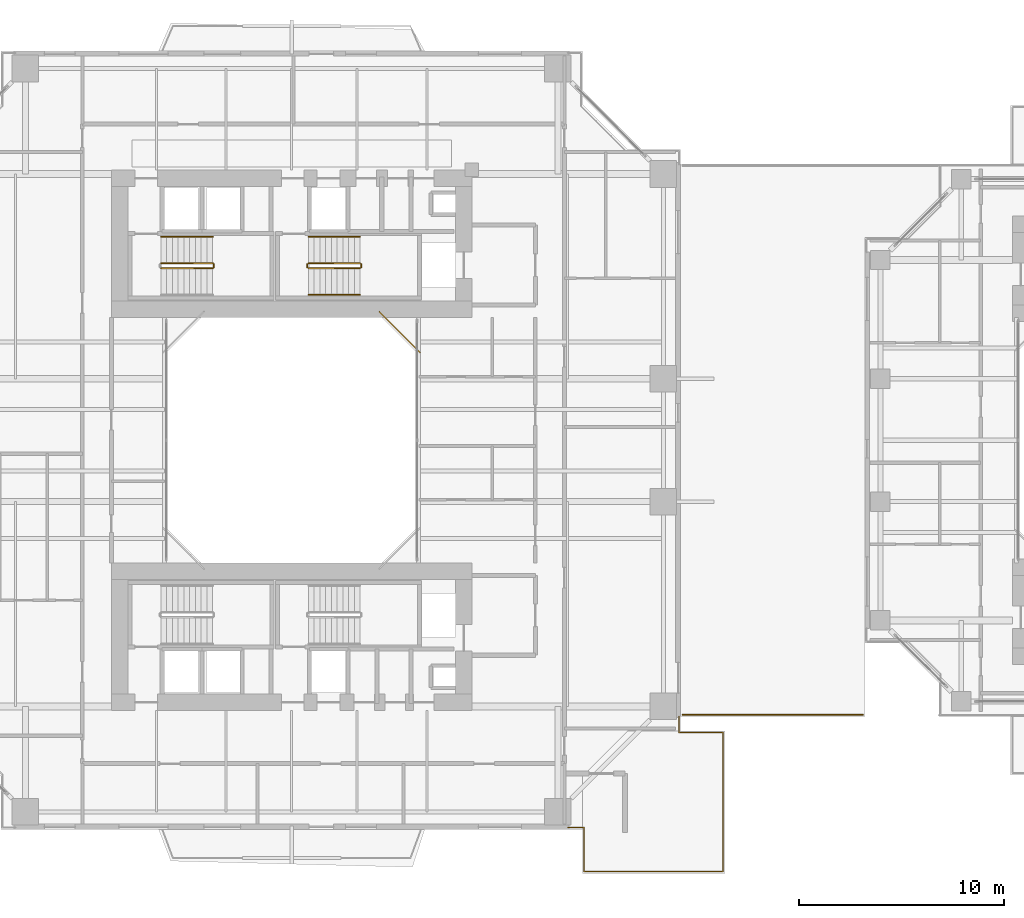
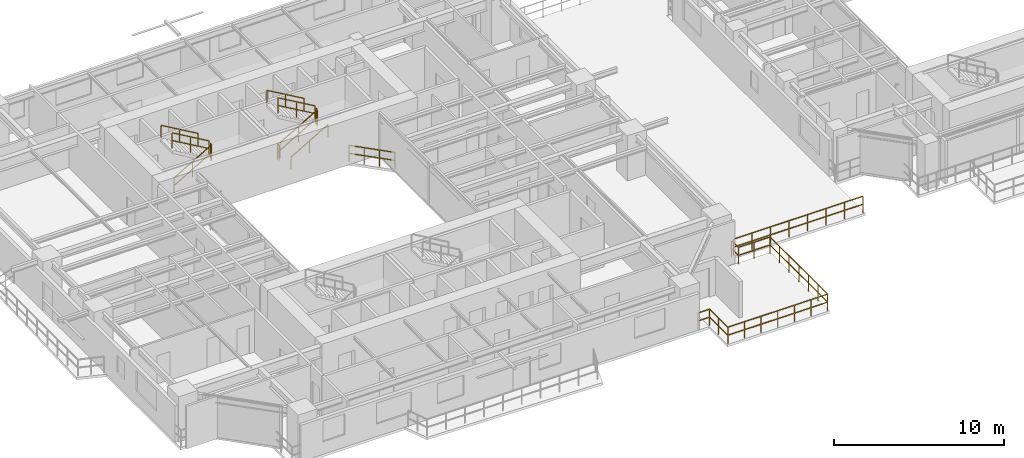
# One storey, part 19 of 22: 13 railings.
"""IFC4 building model written with IfcOpenShell, lengths in metres."""

from ifc_helpers import new_model, si_unit, direction, frame, origin, origin_2d, place, context, subcontext, project, spatial, rectangle, extrude, material, type_object, element, save


model = new_model("IFC4")

# Units and contexts
model_context = context("Model", 3, precision=1e-05, world=origin(), true_north=direction((0.0, 1.0)))
body_context = subcontext(model_context, "Body", "Model", "MODEL_VIEW")
ifc_project = project(units=[si_unit("LENGTHUNIT", "METRE"), si_unit("AREAUNIT", "SQUARE_METRE"), si_unit("VOLUMEUNIT", "CUBIC_METRE"), si_unit("PLANEANGLEUNIT", "RADIAN"), si_unit("MASSUNIT", "GRAM", prefix="KILO"), si_unit("THERMODYNAMICTEMPERATUREUNIT", "KELVIN"), si_unit("POWERUNIT", "WATT")], contexts=[model_context])

# Site, building, storey
site_placement = place(None, origin())
site = spatial("IfcSite", under=ifc_project, at=site_placement, CompositionType="ELEMENT")
building_placement = place(site_placement, origin())
building = spatial("IfcBuilding", under=site, at=building_placement, Name="Qiaomeng Ring Towers", CompositionType="ELEMENT")
storey_placement = place(building_placement, frame((0.0, 0.0, 23.0)))
storey = spatial("IfcBuildingStorey", under=building, at=storey_placement, Name="L05", CompositionType="ELEMENT", Elevation=23.0)

# Railings
ifc_material_1 = material(Name="Low-E pale-green laminated safety glass", Category="glass")
railing_type_1 = type_object("IfcRailingType", Name="ARC-RL-BAL1", PredefinedType="BALUSTRADE", material=ifc_material_1)
railing_1_placement = place(storey_placement, frame((38.10009765625, 9.60009765625, 0.0)))
element("IfcRailing", 1, at=railing_1_placement, inside=storey, type_object=railing_type_1, Name="L05 Balustrade ARC-BAL-L05-POD-S", PredefinedType="BALUSTRADE", context=body_context, shape_type="SweptSolid", body=[
    extrude(rectangle(XDim=0.048095703125, YDim=0.048095703125, at=origin_2d()), frame((0.0, 0.0, 1.17578125), z_axis=(1.0, 0.0, 0.0), x_axis=(0.0, 1.0, 0.0)), (0.0, 0.0, 1.0), 8.7998046875),
    extrude(rectangle(XDim=0.048095703125, YDim=0.048095703125, at=origin_2d()), frame((0.0, 0.0, 0.60009765625), z_axis=(1.0, 0.0, 0.0), x_axis=(0.0, 1.0, 0.0)), (0.0, 0.0, 1.0), 8.7998046875),
    extrude(rectangle(XDim=0.0419921875, YDim=0.0419921875, at=origin_2d()), origin(), (0.0, 0.0, 1.0), 1.15185546875),
    extrude(rectangle(XDim=0.0419921875, YDim=0.0419921875, at=origin_2d()), frame((1.257080078125, 0.0, 0.0)), (0.0, 0.0, 1.0), 1.15185546875),
    extrude(rectangle(XDim=0.0419921875, YDim=0.0419921875, at=origin_2d()), frame((2.51416015625, 0.0, 0.0)), (0.0, 0.0, 1.0), 1.15185546875),
    extrude(rectangle(XDim=0.0419921875, YDim=0.0419921875, at=origin_2d()), frame((3.771240234375, 0.0, 0.0)), (0.0, 0.0, 1.0), 1.15185546875),
    extrude(rectangle(XDim=0.0419921875, YDim=0.0419921875, at=origin_2d()), frame((5.028564453125, 0.0, 0.0)), (0.0, 0.0, 1.0), 1.15185546875),
    extrude(rectangle(XDim=0.0419921875, YDim=0.0419921875, at=origin_2d()), frame((6.28564453125, 0.0, 0.0)), (0.0, 0.0, 1.0), 1.15185546875),
    extrude(rectangle(XDim=0.0419921875, YDim=0.0419921875, at=origin_2d()), frame((7.542724609375, 0.0, 0.0)), (0.0, 0.0, 1.0), 1.15185546875),
    extrude(rectangle(XDim=0.0419921875, YDim=0.0419921875, at=origin_2d()), frame((8.7998046875, 0.0, 0.0)), (0.0, 0.0, 1.0), 1.15185546875),
])
railing_2_placement = place(storey_placement, frame((25.280029296875, 27.280029296875, 0.0)))
element("IfcRailing", 2, at=railing_2_placement, inside=storey, type_object=railing_type_1, Name="L05 Balustrade ARC-BAL-WELL1-L05-2", PredefinedType="BALUSTRADE", context=body_context, shape_type="SweptSolid", body=[
    extrude(rectangle(XDim=0.048095703125, YDim=0.048095703125, at=origin_2d()), frame((0.0, 0.0, 1.17578125), z_axis=(-0.707106781187, 0.707106781187, 0.0), x_axis=(-0.707106781187, -0.707106781187, 0.0)), (0.0, 0.0, 1.0), 2.828369140625),
    extrude(rectangle(XDim=0.048095703125, YDim=0.048095703125, at=origin_2d()), frame((0.0, 0.0, 0.60009765625), z_axis=(-0.707106781187, 0.707106781187, 0.0), x_axis=(-0.707106781187, -0.707106781187, 0.0)), (0.0, 0.0, 1.0), 2.828369140625),
    extrude(rectangle(XDim=0.0419921875, YDim=0.0419921875, at=origin_2d()), origin(), (0.0, 0.0, 1.0), 1.15185546875),
    extrude(rectangle(XDim=0.0419921875, YDim=0.0419921875, at=origin_2d()), frame((-0.666748046875, 0.666748046875, 0.0)), (0.0, 0.0, 1.0), 1.15185546875),
    extrude(rectangle(XDim=0.0419921875, YDim=0.0419921875, at=origin_2d()), frame((-1.333251953125, 1.333251953125, 0.0)), (0.0, 0.0, 1.0), 1.15185546875),
    extrude(rectangle(XDim=0.0419921875, YDim=0.0419921875, at=origin_2d()), frame((-2.0, 2.0, 0.0)), (0.0, 0.0, 1.0), 1.15185546875),
])
railing_3_placement = place(storey_placement, frame((32.47998046875, 4.080078125, 0.0)))
element("IfcRailing", 3, at=railing_3_placement, inside=storey, type_object=railing_type_1, Name="L05 Balustrade ARC-BAL-L05-SPIRAL-SE", PredefinedType="BALUSTRADE", context=body_context, shape_type="SweptSolid", body=[
    extrude(rectangle(XDim=0.048095703125, YDim=0.048095703125, at=origin_2d()), frame((0.0, 0.0, 1.17578125), z_axis=(1.0, 0.0, 0.0), x_axis=(0.0, 1.0, 0.0)), (0.0, 0.0, 1.0), 0.800048828125),
    extrude(rectangle(XDim=0.048095703125, YDim=0.048095703125, at=origin_2d()), frame((0.0, 0.0, 0.60009765625), z_axis=(1.0, 0.0, 0.0), x_axis=(0.0, 1.0, 0.0)), (0.0, 0.0, 1.0), 0.800048828125),
    extrude(rectangle(XDim=0.048095703125, YDim=0.048095703125, at=origin_2d()), frame((0.800048828125, 0.0, 1.17578125), z_axis=(0.0, -1.0, 0.0), x_axis=(1.0, 0.0, 0.0)), (0.0, 0.0, 1.0), 2.150146484375),
    extrude(rectangle(XDim=0.048095703125, YDim=0.048095703125, at=origin_2d()), frame((0.800048828125, 0.0, 0.60009765625), z_axis=(0.0, -1.0, 0.0), x_axis=(1.0, 0.0, 0.0)), (0.0, 0.0, 1.0), 2.150146484375),
    extrude(rectangle(XDim=0.048095703125, YDim=0.048095703125, at=origin_2d()), frame((0.800048828125, -2.150146484375, 1.17578125), z_axis=(1.0, 0.0, 0.0), x_axis=(0.0, 1.0, 0.0)), (0.0, 0.0, 1.0), 6.7900390625),
    extrude(rectangle(XDim=0.048095703125, YDim=0.048095703125, at=origin_2d()), frame((0.800048828125, -2.150146484375, 0.60009765625), z_axis=(1.0, 0.0, 0.0), x_axis=(0.0, 1.0, 0.0)), (0.0, 0.0, 1.0), 6.7900390625),
    extrude(rectangle(XDim=0.048095703125, YDim=0.048095703125, at=origin_2d()), frame((7.590087890625, -2.150146484375, 1.17578125), z_axis=(0.0, 1.0, 0.0), x_axis=(-1.0, 0.0, 0.0)), (0.0, 0.0, 1.0), 6.7900390625),
    extrude(rectangle(XDim=0.048095703125, YDim=0.048095703125, at=origin_2d()), frame((7.590087890625, -2.150146484375, 0.60009765625), z_axis=(0.0, 1.0, 0.0), x_axis=(-1.0, 0.0, 0.0)), (0.0, 0.0, 1.0), 6.7900390625),
    extrude(rectangle(XDim=0.048095703125, YDim=0.048095703125, at=origin_2d()), frame((7.590087890625, 4.639892578125, 1.17578125), z_axis=(-1.0, 0.0, 0.0), x_axis=(0.0, -1.0, 0.0)), (0.0, 0.0, 1.0), 2.150146484375),
    extrude(rectangle(XDim=0.048095703125, YDim=0.048095703125, at=origin_2d()), frame((7.590087890625, 4.639892578125, 0.60009765625), z_axis=(-1.0, 0.0, 0.0), x_axis=(0.0, -1.0, 0.0)), (0.0, 0.0, 1.0), 2.150146484375),
    extrude(rectangle(XDim=0.048095703125, YDim=0.048095703125, at=origin_2d()), frame((5.43994140625, 4.639892578125, 1.17578125), z_axis=(0.0, 1.0, 0.0), x_axis=(-1.0, 0.0, 0.0)), (0.0, 0.0, 1.0), 0.800048828125),
    extrude(rectangle(XDim=0.048095703125, YDim=0.048095703125, at=origin_2d()), frame((5.43994140625, 4.639892578125, 0.60009765625), z_axis=(0.0, 1.0, 0.0), x_axis=(-1.0, 0.0, 0.0)), (0.0, 0.0, 1.0), 0.800048828125),
    extrude(rectangle(XDim=0.0419921875, YDim=0.0419921875, at=origin_2d()), origin(), (0.0, 0.0, 1.0), 1.15185546875),
    extrude(rectangle(XDim=0.0419921875, YDim=0.0419921875, at=origin_2d()), frame((0.800048828125, 0.0, 0.0)), (0.0, 0.0, 1.0), 1.15185546875),
    extrude(rectangle(XDim=0.0419921875, YDim=0.0419921875, at=origin_2d()), frame((0.800048828125, -1.0751953125, 0.0)), (0.0, 0.0, 1.0), 1.15185546875),
    extrude(rectangle(XDim=0.0419921875, YDim=0.0419921875, at=origin_2d()), frame((0.800048828125, -2.150146484375, 0.0)), (0.0, 0.0, 1.0), 1.15185546875),
    extrude(rectangle(XDim=0.0419921875, YDim=0.0419921875, at=origin_2d()), frame((1.931640625, -2.150146484375, 0.0)), (0.0, 0.0, 1.0), 1.15185546875),
    extrude(rectangle(XDim=0.0419921875, YDim=0.0419921875, at=origin_2d()), frame((3.0634765625, -2.150146484375, 0.0)), (0.0, 0.0, 1.0), 1.15185546875),
    extrude(rectangle(XDim=0.0419921875, YDim=0.0419921875, at=origin_2d()), frame((4.195068359375, -2.150146484375, 0.0)), (0.0, 0.0, 1.0), 1.15185546875),
    extrude(rectangle(XDim=0.0419921875, YDim=0.0419921875, at=origin_2d()), frame((5.32666015625, -2.150146484375, 0.0)), (0.0, 0.0, 1.0), 1.15185546875),
    extrude(rectangle(XDim=0.0419921875, YDim=0.0419921875, at=origin_2d()), frame((6.45849609375, -2.150146484375, 0.0)), (0.0, 0.0, 1.0), 1.15185546875),
    extrude(rectangle(XDim=0.0419921875, YDim=0.0419921875, at=origin_2d()), frame((7.590087890625, -2.150146484375, 0.0)), (0.0, 0.0, 1.0), 1.15185546875),
    extrude(rectangle(XDim=0.0419921875, YDim=0.0419921875, at=origin_2d()), frame((7.590087890625, -1.0185546875, 0.0)), (0.0, 0.0, 1.0), 1.15185546875),
    extrude(rectangle(XDim=0.0419921875, YDim=0.0419921875, at=origin_2d()), frame((7.590087890625, 0.11328125, 0.0)), (0.0, 0.0, 1.0), 1.15185546875),
    extrude(rectangle(XDim=0.0419921875, YDim=0.0419921875, at=origin_2d()), frame((7.590087890625, 1.244873046875, 0.0)), (0.0, 0.0, 1.0), 1.15185546875),
    extrude(rectangle(XDim=0.0419921875, YDim=0.0419921875, at=origin_2d()), frame((7.590087890625, 2.37646484375, 0.0)), (0.0, 0.0, 1.0), 1.15185546875),
    extrude(rectangle(XDim=0.0419921875, YDim=0.0419921875, at=origin_2d()), frame((7.590087890625, 3.50830078125, 0.0)), (0.0, 0.0, 1.0), 1.15185546875),
    extrude(rectangle(XDim=0.0419921875, YDim=0.0419921875, at=origin_2d()), frame((7.590087890625, 4.639892578125, 0.0)), (0.0, 0.0, 1.0), 1.15185546875),
    extrude(rectangle(XDim=0.0419921875, YDim=0.0419921875, at=origin_2d()), frame((6.51513671875, 4.639892578125, 0.0)), (0.0, 0.0, 1.0), 1.15185546875),
    extrude(rectangle(XDim=0.0419921875, YDim=0.0419921875, at=origin_2d()), frame((5.43994140625, 4.639892578125, 0.0)), (0.0, 0.0, 1.0), 1.15185546875),
    extrude(rectangle(XDim=0.0419921875, YDim=0.0419921875, at=origin_2d()), frame((5.43994140625, 5.43994140625, 0.0)), (0.0, 0.0, 1.0), 1.15185546875),
])
ifc_material_2 = material(Name="Galvanised steel", Category="steel")
railing_type_2 = type_object("IfcRailingType", Name="ARC-RL-GUARD", PredefinedType="GUARDRAIL", material=ifc_material_2)
railing_4_placement = place(storey_placement, frame((12.6201171875, 31.39990234375, 0.16259765625)))
element("IfcRailing", 4, at=railing_4_placement, inside=storey, type_object=railing_type_2, Name="L05 ST1 stair guard 1", PredefinedType="GUARDRAIL", context=body_context, shape_type="SweptSolid", body=[
    extrude(rectangle(XDim=0.048095703125, YDim=0.048095703125, at=origin_2d()), frame((0.0, 0.0, 1.1259765625), z_axis=(0.864892226395, 0.0, 0.501957604506), x_axis=(0.0, 1.0, 0.0)), (0.0, 0.0, 1.0), 2.913330078125),
    extrude(rectangle(XDim=0.048095703125, YDim=0.048095703125, at=origin_2d()), frame((0.0, 0.0, 0.574951171875), z_axis=(0.864892226395, 0.0, 0.501957604506), x_axis=(0.0, 1.0, 0.0)), (0.0, 0.0, 1.0), 2.913330078125),
    extrude(rectangle(XDim=0.0419921875, YDim=0.0419921875, at=origin_2d()), origin(), (0.0, 0.0, 1.0), 1.101806640625),
    extrude(rectangle(XDim=0.0419921875, YDim=0.0419921875, at=origin_2d()), frame((1.259765625, 0.0, 0.731201171875)), (0.0, 0.0, 1.0), 1.101806640625),
    extrude(rectangle(XDim=0.0419921875, YDim=0.0419921875, at=origin_2d()), frame((2.519775390625, 0.0, 1.46240234375)), (0.0, 0.0, 1.0), 1.101806640625),
])
railing_5_placement = place(storey_placement, frame((15.18994140625, 31.449951171875, 1.625)))
element("IfcRailing", 5, at=railing_5_placement, inside=storey, type_object=railing_type_2, Name="L05 ST1 stair guard 2", PredefinedType="GUARDRAIL", context=body_context, shape_type="SweptSolid", body=[
    extrude(rectangle(XDim=0.048095703125, YDim=0.048095703125, at=origin_2d()), frame((0.0, 0.0, 1.1259765625), z_axis=(0.0, 1.0, 0.0), x_axis=(-1.0, 0.0, 0.0)), (0.0, 0.0, 1.0), 0.14013671875),
    extrude(rectangle(XDim=0.048095703125, YDim=0.048095703125, at=origin_2d()), frame((0.0, 0.0, 0.574951171875), z_axis=(0.0, 1.0, 0.0), x_axis=(-1.0, 0.0, 0.0)), (0.0, 0.0, 1.0), 0.14013671875),
    extrude(rectangle(XDim=0.0419921875, YDim=0.0419921875, at=origin_2d()), origin(), (0.0, 0.0, 1.0), 1.101806640625),
    extrude(rectangle(XDim=0.0419921875, YDim=0.0419921875, at=origin_2d()), frame((0.0, 0.14013671875, 0.0)), (0.0, 0.0, 1.0), 1.101806640625),
])
railing_6_placement = place(storey_placement, frame((15.139892578125, 31.639892578125, 1.78759765625)))
element("IfcRailing", 6, at=railing_6_placement, inside=storey, type_object=railing_type_2, Name="L05 ST1 stair guard 3", PredefinedType="GUARDRAIL", context=body_context, shape_type="SweptSolid", body=[
    extrude(rectangle(XDim=0.048095703125, YDim=0.048095703125, at=origin_2d()), frame((0.0, 0.0, 1.1259765625), z_axis=(-0.864892226395, 0.0, 0.501957604506), x_axis=(0.0, -1.0, 0.0)), (0.0, 0.0, 1.0), 2.913330078125),
    extrude(rectangle(XDim=0.048095703125, YDim=0.048095703125, at=origin_2d()), frame((0.0, 0.0, 0.574951171875), z_axis=(-0.864892226395, 0.0, 0.501957604506), x_axis=(0.0, -1.0, 0.0)), (0.0, 0.0, 1.0), 2.913330078125),
    extrude(rectangle(XDim=0.0419921875, YDim=0.0419921875, at=origin_2d()), origin(), (0.0, 0.0, 1.0), 1.101806640625),
    extrude(rectangle(XDim=0.0419921875, YDim=0.0419921875, at=origin_2d()), frame((-1.259765625, 0.0, 0.731201171875)), (0.0, 0.0, 1.0), 1.101806640625),
    extrude(rectangle(XDim=0.0419921875, YDim=0.0419921875, at=origin_2d()), frame((-2.519775390625, 0.0, 1.46240234375)), (0.0, 0.0, 1.0), 1.101806640625),
])
railing_7_placement = place(storey_placement, frame((19.820068359375, 31.39990234375, 0.16259765625)))
element("IfcRailing", 7, at=railing_7_placement, inside=storey, type_object=railing_type_2, Name="L05 ST2 stair guard 1", PredefinedType="GUARDRAIL", context=body_context, shape_type="SweptSolid", body=[
    extrude(rectangle(XDim=0.048095703125, YDim=0.048095703125, at=origin_2d()), frame((0.0, 0.0, 1.1259765625), z_axis=(0.864913338283, 0.0, 0.50192122615), x_axis=(0.0, 1.0, 0.0)), (0.0, 0.0, 1.0), 2.91357421875),
    extrude(rectangle(XDim=0.048095703125, YDim=0.048095703125, at=origin_2d()), frame((0.0, 0.0, 0.574951171875), z_axis=(0.864913338283, 0.0, 0.50192122615), x_axis=(0.0, 1.0, 0.0)), (0.0, 0.0, 1.0), 2.91357421875),
    extrude(rectangle(XDim=0.0419921875, YDim=0.0419921875, at=origin_2d()), origin(), (0.0, 0.0, 1.0), 1.101806640625),
    extrude(rectangle(XDim=0.0419921875, YDim=0.0419921875, at=origin_2d()), frame((1.260009765625, 0.0, 0.731201171875)), (0.0, 0.0, 1.0), 1.101806640625),
    extrude(rectangle(XDim=0.0419921875, YDim=0.0419921875, at=origin_2d()), frame((2.52001953125, 0.0, 1.46240234375)), (0.0, 0.0, 1.0), 1.101806640625),
])
railing_8_placement = place(storey_placement, frame((22.389892578125, 31.449951171875, 1.625)))
element("IfcRailing", 8, at=railing_8_placement, inside=storey, type_object=railing_type_2, Name="L05 ST2 stair guard 2", PredefinedType="GUARDRAIL", context=body_context, shape_type="SweptSolid", body=[
    extrude(rectangle(XDim=0.048095703125, YDim=0.048095703125, at=origin_2d()), frame((0.0, 0.0, 1.1259765625), z_axis=(0.0, 1.0, 0.0), x_axis=(-1.0, 0.0, 0.0)), (0.0, 0.0, 1.0), 0.14013671875),
    extrude(rectangle(XDim=0.048095703125, YDim=0.048095703125, at=origin_2d()), frame((0.0, 0.0, 0.574951171875), z_axis=(0.0, 1.0, 0.0), x_axis=(-1.0, 0.0, 0.0)), (0.0, 0.0, 1.0), 0.14013671875),
    extrude(rectangle(XDim=0.0419921875, YDim=0.0419921875, at=origin_2d()), origin(), (0.0, 0.0, 1.0), 1.101806640625),
    extrude(rectangle(XDim=0.0419921875, YDim=0.0419921875, at=origin_2d()), frame((0.0, 0.14013671875, 0.0)), (0.0, 0.0, 1.0), 1.101806640625),
])
railing_9_placement = place(storey_placement, frame((22.340087890625, 31.639892578125, 1.78759765625)))
element("IfcRailing", 9, at=railing_9_placement, inside=storey, type_object=railing_type_2, Name="L05 ST2 stair guard 3", PredefinedType="GUARDRAIL", context=body_context, shape_type="SweptSolid", body=[
    extrude(rectangle(XDim=0.048095703125, YDim=0.048095703125, at=origin_2d()), frame((0.0, 0.0, 1.1259765625), z_axis=(-0.864913338283, 0.0, 0.50192122615), x_axis=(0.0, -1.0, 0.0)), (0.0, 0.0, 1.0), 2.91357421875),
    extrude(rectangle(XDim=0.048095703125, YDim=0.048095703125, at=origin_2d()), frame((0.0, 0.0, 0.574951171875), z_axis=(-0.864913338283, 0.0, 0.50192122615), x_axis=(0.0, -1.0, 0.0)), (0.0, 0.0, 1.0), 2.91357421875),
    extrude(rectangle(XDim=0.0419921875, YDim=0.0419921875, at=origin_2d()), origin(), (0.0, 0.0, 1.0), 1.101806640625),
    extrude(rectangle(XDim=0.0419921875, YDim=0.0419921875, at=origin_2d()), frame((-1.260009765625, 0.0, 0.731201171875)), (0.0, 0.0, 1.0), 1.101806640625),
    extrude(rectangle(XDim=0.0419921875, YDim=0.0419921875, at=origin_2d()), frame((-2.52001953125, 0.0, 1.46240234375)), (0.0, 0.0, 1.0), 1.101806640625),
])
railing_10_placement = place(storey_placement, frame((19.77001953125, 31.449951171875, 0.0)))
element("IfcRailing", 10, at=railing_10_placement, inside=storey, type_object=railing_type_2, Name="L05 ST2 stair guard 4", PredefinedType="GUARDRAIL", context=body_context, shape_type="SweptSolid", body=[
    extrude(rectangle(XDim=0.048095703125, YDim=0.048095703125, at=origin_2d()), frame((0.0, 0.0, 1.1259765625), z_axis=(0.0, 1.0, 0.0), x_axis=(-1.0, 0.0, 0.0)), (0.0, 0.0, 1.0), 0.14013671875),
    extrude(rectangle(XDim=0.048095703125, YDim=0.048095703125, at=origin_2d()), frame((0.0, 0.0, 0.574951171875), z_axis=(0.0, 1.0, 0.0), x_axis=(-1.0, 0.0, 0.0)), (0.0, 0.0, 1.0), 0.14013671875),
    extrude(rectangle(XDim=0.0419921875, YDim=0.0419921875, at=origin_2d()), origin(), (0.0, 0.0, 1.0), 1.101806640625),
    extrude(rectangle(XDim=0.0419921875, YDim=0.0419921875, at=origin_2d()), frame((0.0, 0.14013671875, 0.0)), (0.0, 0.0, 1.0), 1.101806640625),
])
ifc_material_3 = material(Name="Stainless steel 316", Category="steel")
railing_type_3 = type_object("IfcRailingType", Name="ARC-RL-HAND", PredefinedType="HANDRAIL", material=ifc_material_3)
railing_11_placement = place(storey_placement, frame((15.139892578125, 32.93994140625, 1.78759765625)))
element("IfcRailing", 11, at=railing_11_placement, inside=storey, type_object=railing_type_3, Name="L05 ST1 stair handrail 2", PredefinedType="HANDRAIL", context=body_context, shape_type="SweptSolid", body=[
    extrude(rectangle(XDim=0.048095703125, YDim=0.048095703125, at=origin_2d()), frame((0.0, 0.0, 0.8759765625), z_axis=(-0.864892226395, 0.0, 0.501957604506), x_axis=(0.0, -1.0, 0.0)), (0.0, 0.0, 1.0), 2.913330078125),
    extrude(rectangle(XDim=0.0419921875, YDim=0.0419921875, at=origin_2d()), origin(), (0.0, 0.0, 1.0), 0.851806640625),
    extrude(rectangle(XDim=0.0419921875, YDim=0.0419921875, at=origin_2d()), frame((-1.259765625, 0.0, 0.731201171875)), (0.0, 0.0, 1.0), 0.851806640625),
    extrude(rectangle(XDim=0.0419921875, YDim=0.0419921875, at=origin_2d()), frame((-2.519775390625, 0.0, 1.46240234375)), (0.0, 0.0, 1.0), 0.851806640625),
])
railing_12_placement = place(storey_placement, frame((19.820068359375, 30.10009765625, 0.16259765625)))
element("IfcRailing", 12, at=railing_12_placement, inside=storey, type_object=railing_type_3, Name="L05 ST2 stair handrail 1", PredefinedType="HANDRAIL", context=body_context, shape_type="SweptSolid", body=[
    extrude(rectangle(XDim=0.048095703125, YDim=0.048095703125, at=origin_2d()), frame((0.0, 0.0, 0.8759765625), z_axis=(0.864913338283, 0.0, 0.50192122615), x_axis=(0.0, 1.0, 0.0)), (0.0, 0.0, 1.0), 2.91357421875),
    extrude(rectangle(XDim=0.0419921875, YDim=0.0419921875, at=origin_2d()), origin(), (0.0, 0.0, 1.0), 0.851806640625),
    extrude(rectangle(XDim=0.0419921875, YDim=0.0419921875, at=origin_2d()), frame((1.260009765625, 0.0, 0.731201171875)), (0.0, 0.0, 1.0), 0.851806640625),
    extrude(rectangle(XDim=0.0419921875, YDim=0.0419921875, at=origin_2d()), frame((2.52001953125, 0.0, 1.46240234375)), (0.0, 0.0, 1.0), 0.851806640625),
])
railing_13_placement = place(storey_placement, frame((22.340087890625, 32.93994140625, 1.78759765625)))
element("IfcRailing", 13, at=railing_13_placement, inside=storey, type_object=railing_type_3, Name="L05 ST2 stair handrail 2", PredefinedType="HANDRAIL", context=body_context, shape_type="SweptSolid", body=[
    extrude(rectangle(XDim=0.048095703125, YDim=0.048095703125, at=origin_2d()), frame((0.0, 0.0, 0.8759765625), z_axis=(-0.864913338283, 0.0, 0.50192122615), x_axis=(0.0, -1.0, 0.0)), (0.0, 0.0, 1.0), 2.91357421875),
    extrude(rectangle(XDim=0.0419921875, YDim=0.0419921875, at=origin_2d()), origin(), (0.0, 0.0, 1.0), 0.851806640625),
    extrude(rectangle(XDim=0.0419921875, YDim=0.0419921875, at=origin_2d()), frame((-1.260009765625, 0.0, 0.731201171875)), (0.0, 0.0, 1.0), 0.851806640625),
    extrude(rectangle(XDim=0.0419921875, YDim=0.0419921875, at=origin_2d()), frame((-2.52001953125, 0.0, 1.46240234375)), (0.0, 0.0, 1.0), 0.851806640625),
])

save(model, "model.ifc")
